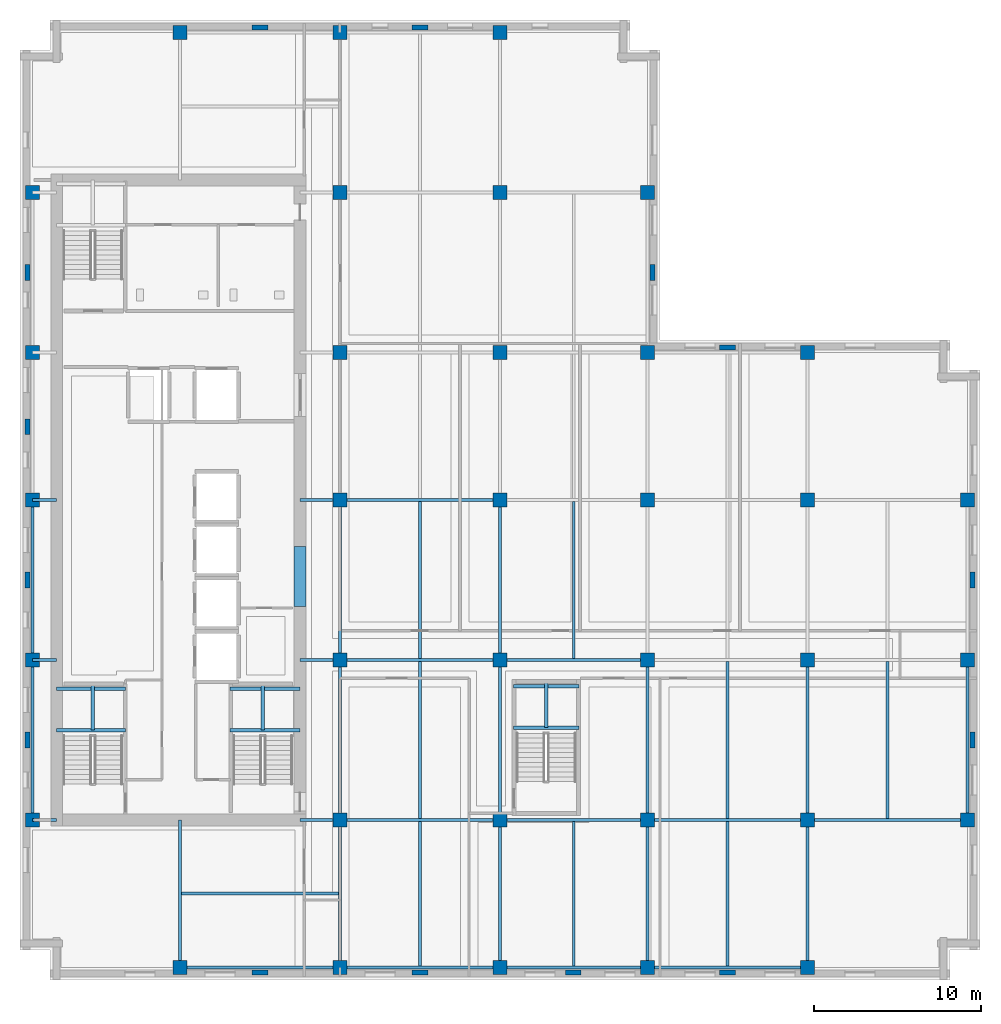
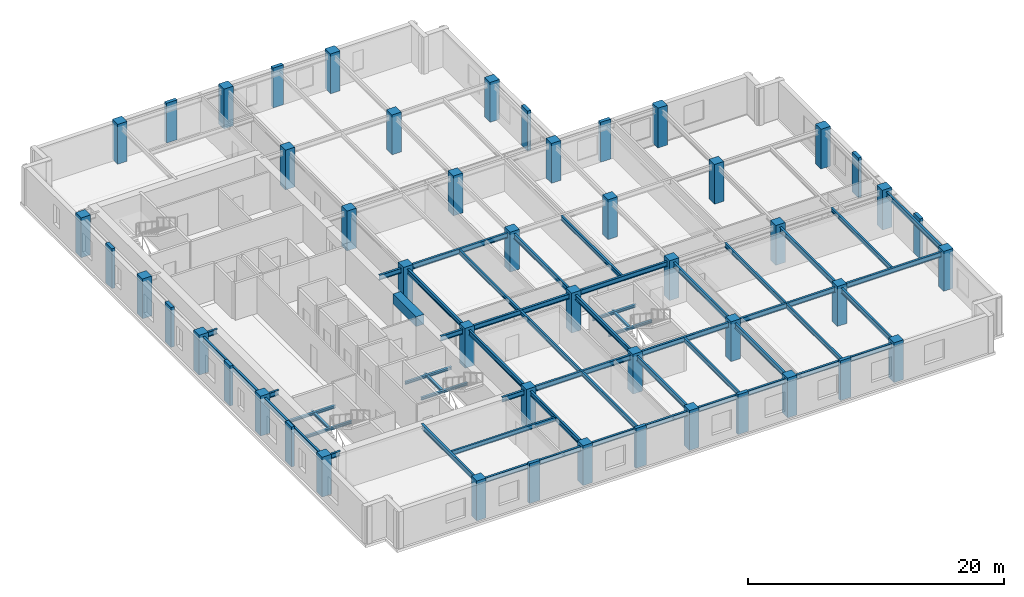
# One storey, part 1 of 11: 50 beams, 49 columns.
"""IFC4 building model written with IfcOpenShell, lengths in metres."""

from ifc_helpers import new_model, si_unit, direction, frame, origin, origin_2d, place, context, subcontext, project, spatial, rectangle, i_section, extrude, material, material_profile, profile_set, type_object, element, save


model = new_model("IFC4")

# Units and contexts
model_context = context("Model", 3, precision=1e-05, world=origin(), true_north=direction((0.0, 1.0)))
body_context = subcontext(model_context, "Body", "Model", "MODEL_VIEW")
ifc_project = project(units=[si_unit("LENGTHUNIT", "METRE"), si_unit("AREAUNIT", "SQUARE_METRE"), si_unit("VOLUMEUNIT", "CUBIC_METRE"), si_unit("PLANEANGLEUNIT", "RADIAN"), si_unit("MASSUNIT", "GRAM", prefix="KILO")], contexts=[model_context])

# Site, building, storey
site_placement = place(None, origin())
site = spatial("IfcSite", under=ifc_project, at=site_placement, CompositionType="ELEMENT")
building_placement = place(site_placement, origin())
building = spatial("IfcBuilding", under=site, at=building_placement, Name="Norrvale University Quadrangle", CompositionType="ELEMENT")
storey_placement = place(building_placement, frame((0.0, 0.0, 210.39990234375)))
storey = spatial("IfcBuildingStorey", under=building, at=storey_placement, Name="L53", CompositionType="ELEMENT", Elevation=210.39990234375)

# Columns
ifc_material_1 = material(Name="Red Manganese Brick Concrete C60/75", Category="concrete")
ifc_material_profile_1 = material_profile(ifc_material_1, rectangle(XDim=0.949951171875, YDim=0.300048828125, at=origin_2d()), Name="Red Manganese Brick Concrete C60/75")
ifc_profile_set_1 = profile_set([ifc_material_profile_1], Name="Red Manganese Brick Concrete C60/75")
column_type_1 = type_object("IfcColumnType", Name="Column Brick Pier 950x300", PredefinedType="PILASTER", material=ifc_profile_set_1)
for number, where, z_axis, x_axis, name in (
    (1, (0.449951171875, 14.39990234375, 0.0), (0.0, 0.0, 1.0), (0.0, 1.0, 0.0), "Exterior Brick Facade Pilaster L53-01"),
    (2, (0.449951171875, 24.0, 0.0), (0.0, 0.0, 1.0), (0.0, 1.0, 0.0), "Exterior Brick Facade Pilaster L53-02"),
    (3, (0.449951171875, 33.199951171875, 0.0), (0.0, 0.0, 1.0), (0.0, 1.0, 0.0), "Exterior Brick Facade Pilaster L53-03"),
    (4, (0.449951171875, 42.449951171875, 0.0), (0.0, 0.0, 1.0), (0.0, 1.0, 0.0), "Exterior Brick Facade Pilaster L53-04"),
    (5, (14.39990234375, 0.449951171875, 0.0), (0.0, 0.0, 1.0), (1.0, 0.0, 0.0), "Exterior Brick Facade Pilaster L53-05"),
    (6, (24.0, 0.449951171875, 0.0), (0.0, 0.0, 1.0), (1.0, 0.0, 0.0), "Exterior Brick Facade Pilaster L53-06"),
    (7, (33.199951171875, 0.449951171875, 0.0), (0.0, 0.0, 1.0), (1.0, 0.0, 0.0), "Exterior Brick Facade Pilaster L53-07"),
    (8, (42.449951171875, 0.449951171875, 0.0), (0.0, 0.0, 1.0), (1.0, 0.0, 0.0), "Exterior Brick Facade Pilaster L53-08"),
    (9, (57.14990234375, 14.39990234375, 0.0), (0.0, 0.0, 1.0), (0.0, 1.0, 0.0), "Exterior Brick Facade Pilaster L53-09"),
    (10, (57.14990234375, 24.0, 0.0), (0.0, 0.0, 1.0), (0.0, 1.0, 0.0), "Exterior Brick Facade Pilaster L53-10"),
    (11, (14.39990234375, 57.14990234375, 0.0), (0.0, 0.0, 1.0), (1.0, 0.0, 0.0), "Exterior Brick Facade Pilaster L53-11"),
    (12, (24.0, 57.14990234375, 0.0), (0.0, 0.0, 1.0), (1.0, 0.0, 0.0), "Exterior Brick Facade Pilaster L53-12"),
    (13, (37.949951171875, 42.449951171875, 0.0), (0.0, 0.0, 1.0), (0.0, 1.0, 0.0), "Exterior Brick Facade Pilaster L53-13"),
    (14, (42.449951171875, 37.949951171875, 0.0), (0.0, 0.0, 1.0), (1.0, 0.0, 0.0), "Exterior Brick Facade Pilaster L53-14"),
):
    element("IfcColumn", number, at=place(storey_placement, frame(where, z_axis=z_axis, x_axis=x_axis)), inside=storey, type_object=column_type_1, Name=name, PredefinedType="PILASTER", context=body_context, shape_type="SweptSolid", body=[
        extrude(rectangle(XDim=0.949951171875, YDim=0.300048828125, at=origin_2d()), origin(), (0.0, 0.0, 1.0), 3.800048828125),
    ])
ifc_material_2 = material(Name="Concrete C60/75", Category="concrete")
ifc_material_profile_2 = material_profile(ifc_material_2, rectangle(XDim=0.85009765625, YDim=0.85009765625, at=origin_2d()), Name="Concrete C60/75")
ifc_profile_set_2 = profile_set([ifc_material_profile_2], Name="Concrete C60/75")
column_type_2 = type_object("IfcColumnType", Name="Column Tower Z3 850x850", PredefinedType="COLUMN", material=ifc_profile_set_2)
for number, where, z_axis, x_axis, name in (
    (15, (0.75, 9.60009765625, 0.0), (0.0, 0.0, 1.0), (1.0, 0.0, 0.0), "Tower Column L53-T01"),
    (16, (0.75, 19.199951171875, 0.0), (0.0, 0.0, 1.0), (1.0, 0.0, 0.0), "Tower Column L53-T02"),
    (17, (0.75, 28.800048828125, 0.0), (0.0, 0.0, 1.0), (1.0, 0.0, 0.0), "Tower Column L53-T03"),
    (18, (0.75, 37.64990234375, 0.0), (0.0, 0.0, 1.0), (1.0, 0.0, 0.0), "Tower Column L53-T04"),
    (19, (0.75, 47.25, 0.0), (0.0, 0.0, 1.0), (1.0, 0.0, 0.0), "Tower Column L53-T05"),
    (20, (9.60009765625, 0.75, 0.0), (0.0, 0.0, 1.0), (1.0, 0.0, 0.0), "Tower Column L53-T06"),
    (21, (9.60009765625, 56.85009765625, 0.0), (0.0, 0.0, 1.0), (1.0, 0.0, 0.0), "Tower Column L53-T07"),
    (22, (19.199951171875, 0.75, 0.0), (0.0, 0.0, 1.0), (1.0, 0.0, 0.0), "Tower Column L53-T08"),
    (23, (19.199951171875, 9.60009765625, 0.0), (0.0, 0.0, 1.0), (1.0, 0.0, 0.0), "Tower Column L53-T09"),
    (24, (19.199951171875, 19.199951171875, 0.0), (0.0, 0.0, 1.0), (1.0, 0.0, 0.0), "Tower Column L53-T10"),
    (25, (19.199951171875, 28.800048828125, 0.0), (0.0, 0.0, 1.0), (1.0, 0.0, 0.0), "Tower Column L53-T11"),
    (26, (19.199951171875, 37.64990234375, 0.0), (0.0, 0.0, 1.0), (1.0, 0.0, 0.0), "Tower Column L53-T12"),
    (27, (19.199951171875, 47.25, 0.0), (0.0, 0.0, 1.0), (1.0, 0.0, 0.0), "Tower Column L53-T13"),
    (28, (19.199951171875, 56.85009765625, 0.0), (0.0, 0.0, 1.0), (1.0, 0.0, 0.0), "Tower Column L53-T14"),
    (29, (28.800048828125, 0.75, 0.0), (0.0, 0.0, 1.0), (1.0, 0.0, 0.0), "Tower Column L53-T15"),
    (30, (28.800048828125, 9.60009765625, 0.0), (0.0, 0.0, 1.0), (1.0, 0.0, 0.0), "Tower Column L53-T16"),
    (31, (28.800048828125, 19.199951171875, 0.0), (0.0, 0.0, 1.0), (1.0, 0.0, 0.0), "Tower Column L53-T17"),
    (32, (28.800048828125, 28.800048828125, 0.0), (0.0, 0.0, 1.0), (1.0, 0.0, 0.0), "Tower Column L53-T18"),
    (33, (28.800048828125, 37.64990234375, 0.0), (0.0, 0.0, 1.0), (1.0, 0.0, 0.0), "Tower Column L53-T19"),
    (34, (28.800048828125, 47.25, 0.0), (0.0, 0.0, 1.0), (1.0, 0.0, 0.0), "Tower Column L53-T20"),
    (35, (28.800048828125, 56.85009765625, 0.0), (0.0, 0.0, 1.0), (1.0, 0.0, 0.0), "Tower Column L53-T21"),
    (36, (37.64990234375, 0.75, 0.0), (0.0, 0.0, 1.0), (1.0, 0.0, 0.0), "Tower Column L53-T22"),
    (37, (37.64990234375, 9.60009765625, 0.0), (0.0, 0.0, 1.0), (1.0, 0.0, 0.0), "Tower Column L53-T23"),
    (38, (37.64990234375, 19.199951171875, 0.0), (0.0, 0.0, 1.0), (1.0, 0.0, 0.0), "Tower Column L53-T24"),
    (39, (37.64990234375, 28.800048828125, 0.0), (0.0, 0.0, 1.0), (1.0, 0.0, 0.0), "Tower Column L53-T25"),
    (40, (37.64990234375, 37.64990234375, 0.0), (0.0, 0.0, 1.0), (1.0, 0.0, 0.0), "Tower Column L53-T26"),
    (41, (37.64990234375, 47.25, 0.0), (0.0, 0.0, 1.0), (1.0, 0.0, 0.0), "Tower Column L53-T27"),
    (42, (47.25, 0.75, 0.0), (0.0, 0.0, 1.0), (1.0, 0.0, 0.0), "Tower Column L53-T28"),
    (43, (47.25, 9.60009765625, 0.0), (0.0, 0.0, 1.0), (1.0, 0.0, 0.0), "Tower Column L53-T29"),
    (44, (47.25, 19.199951171875, 0.0), (0.0, 0.0, 1.0), (1.0, 0.0, 0.0), "Tower Column L53-T30"),
    (45, (47.25, 28.800048828125, 0.0), (0.0, 0.0, 1.0), (1.0, 0.0, 0.0), "Tower Column L53-T31"),
    (46, (47.25, 37.64990234375, 0.0), (0.0, 0.0, 1.0), (1.0, 0.0, 0.0), "Tower Column L53-T32"),
    (47, (56.85009765625, 9.60009765625, 0.0), (0.0, 0.0, 1.0), (1.0, 0.0, 0.0), "Tower Column L53-T33"),
    (48, (56.85009765625, 19.199951171875, 0.0), (0.0, 0.0, 1.0), (1.0, 0.0, 0.0), "Tower Column L53-T34"),
    (49, (56.85009765625, 28.800048828125, 0.0), (0.0, 0.0, 1.0), (1.0, 0.0, 0.0), "Tower Column L53-T35"),
):
    element("IfcColumn", number, at=place(storey_placement, frame(where, z_axis=z_axis, x_axis=x_axis)), inside=storey, type_object=column_type_2, Name=name, PredefinedType="COLUMN", context=body_context, shape_type="SweptSolid", body=[
        extrude(rectangle(XDim=0.85009765625, YDim=0.85009765625, at=origin_2d()), origin(), (0.0, 0.0, 1.0), 3.800048828125),
    ])

# Beams
ifc_material_3 = material(Name="Concrete C80/95", Category="concrete")
ifc_material_profile_3 = material_profile(ifc_material_3, rectangle(XDim=0.699951171875, YDim=0.949951171875, at=origin_2d()), Name="Concrete C80/95")
ifc_profile_set_3 = profile_set([ifc_material_profile_3], Name="Concrete C80/95")
beam_type_1 = type_object("IfcBeamType", Name="Beam Core Link 700x950", PredefinedType="LINTEL", material=ifc_profile_set_3)
beam_1_placement = place(storey_placement, frame((16.800048828125, 22.39990234375, 3.065185546875), z_axis=(0.0, 1.0, 0.0), x_axis=(-1.0, 0.0, 0.0)))
element("IfcBeam", 50, at=beam_1_placement, inside=storey, type_object=beam_type_1, Name="Core Coupling Lintel Beam L53-1", PredefinedType="LINTEL", context=body_context, shape_type="SweptSolid", body=[
    extrude(rectangle(XDim=0.699951171875, YDim=0.949951171875, at=origin_2d()), origin(), (0.0, 0.0, 1.0), 3.60009765625),
])
ifc_material_4 = material(Name="Steel 350W", Category="steel")
ifc_material_profile_4 = material_profile(ifc_material_4, i_section(OverallWidth=0.194091796875, OverallDepth=0.468994140625, WebThickness=0.0126953125, FlangeThickness=0.0205078125, FilletRadius=0.012939453125, at=origin_2d()), Name="Steel 350W")
ifc_profile_set_4 = profile_set([ifc_material_profile_4], Name="Steel 350W")
beam_type_2 = type_object("IfcBeamType", Name="Beam Floor W460x106", PredefinedType="BEAM", material=ifc_profile_set_4)
beam_2_placement = place(storey_placement, frame((9.60009765625, 0.75, 3.3056640625), z_axis=(1.0, 0.0, 0.0), x_axis=(0.0, 1.0, 0.0)))
element("IfcBeam", 51, at=beam_2_placement, inside=storey, type_object=beam_type_2, Name="Beam Floor W460x106 BM-L53-GX001", PredefinedType="BEAM", context=body_context, shape_type="SweptSolid", body=[
    extrude(i_section(OverallWidth=0.194091796875, OverallDepth=0.468994140625, WebThickness=0.0126953125, FlangeThickness=0.0205078125, FilletRadius=0.012939453125, at=origin_2d()), origin(), (0.0, 0.0, 1.0), 9.599853515625),
])
beam_3_placement = place(storey_placement, frame((19.199951171875, 0.75, 3.3056640625), z_axis=(1.0, 0.0, 0.0), x_axis=(0.0, 1.0, 0.0)))
element("IfcBeam", 52, at=beam_3_placement, inside=storey, type_object=beam_type_2, Name="Beam Floor W460x106 BM-L53-GX002", PredefinedType="BEAM", context=body_context, shape_type="SweptSolid", body=[
    extrude(i_section(OverallWidth=0.194091796875, OverallDepth=0.468994140625, WebThickness=0.0126953125, FlangeThickness=0.0205078125, FilletRadius=0.012939453125, at=origin_2d()), origin(), (0.0, 0.0, 1.0), 9.60009765625),
])
beam_4_placement = place(storey_placement, frame((28.800048828125, 0.75, 3.3056640625), z_axis=(1.0, 0.0, 0.0), x_axis=(0.0, 1.0, 0.0)))
element("IfcBeam", 53, at=beam_4_placement, inside=storey, type_object=beam_type_2, Name="Beam Floor W460x106 BM-L53-GX003", PredefinedType="BEAM", context=body_context, shape_type="SweptSolid", body=[
    extrude(i_section(OverallWidth=0.194091796875, OverallDepth=0.468994140625, WebThickness=0.0126953125, FlangeThickness=0.0205078125, FilletRadius=0.012939453125, at=origin_2d()), origin(), (0.0, 0.0, 1.0), 8.849853515625),
])
for number, where, z_axis, x_axis, name in (
    (54, (37.64990234375, 0.75, 3.3056640625), (1.0, 0.0, 0.0), (0.0, 1.0, 0.0), "Beam Floor W460x106 BM-L53-GX004"),
    (55, (19.199951171875, 9.60009765625, 3.3056640625), (1.0, 0.0, 0.0), (0.0, 1.0, 0.0), "Beam Floor W460x106 BM-L53-GX005"),
):
    element("IfcBeam", number, at=place(storey_placement, frame(where, z_axis=z_axis, x_axis=x_axis)), inside=storey, type_object=beam_type_2, Name=name, PredefinedType="BEAM", context=body_context, shape_type="SweptSolid", body=[
        extrude(i_section(OverallWidth=0.194091796875, OverallDepth=0.468994140625, WebThickness=0.0126953125, FlangeThickness=0.0205078125, FilletRadius=0.012939453125, at=origin_2d()), origin(), (0.0, 0.0, 1.0), 9.60009765625),
    ])
beam_5_placement = place(storey_placement, frame((28.800048828125, 9.60009765625, 3.3056640625), z_axis=(1.0, 0.0, 0.0), x_axis=(0.0, 1.0, 0.0)))
element("IfcBeam", 56, at=beam_5_placement, inside=storey, type_object=beam_type_2, Name="Beam Floor W460x106 BM-L53-GX006", PredefinedType="BEAM", context=body_context, shape_type="SweptSolid", body=[
    extrude(i_section(OverallWidth=0.194091796875, OverallDepth=0.468994140625, WebThickness=0.0126953125, FlangeThickness=0.0205078125, FilletRadius=0.012939453125, at=origin_2d()), origin(), (0.0, 0.0, 1.0), 8.849853515625),
])
for number, where, z_axis, x_axis, name in (
    (57, (37.64990234375, 9.60009765625, 3.3056640625), (1.0, 0.0, 0.0), (0.0, 1.0, 0.0), "Beam Floor W460x106 BM-L53-GX007"),
    (58, (47.25, 9.60009765625, 3.3056640625), (1.0, 0.0, 0.0), (0.0, 1.0, 0.0), "Beam Floor W460x106 BM-L53-GX008"),
    (59, (19.199951171875, 19.199951171875, 3.3056640625), (1.0, 0.0, 0.0), (0.0, 1.0, 0.0), "Beam Floor W460x106 BM-L53-GX009"),
):
    element("IfcBeam", number, at=place(storey_placement, frame(where, z_axis=z_axis, x_axis=x_axis)), inside=storey, type_object=beam_type_2, Name=name, PredefinedType="BEAM", context=body_context, shape_type="SweptSolid", body=[
        extrude(i_section(OverallWidth=0.194091796875, OverallDepth=0.468994140625, WebThickness=0.0126953125, FlangeThickness=0.0205078125, FilletRadius=0.012939453125, at=origin_2d()), origin(), (0.0, 0.0, 1.0), 9.60009765625),
    ])
beam_6_placement = place(storey_placement, frame((28.800048828125, 19.199951171875, 3.3056640625), z_axis=(1.0, 0.0, 0.0), x_axis=(0.0, 1.0, 0.0)))
element("IfcBeam", 60, at=beam_6_placement, inside=storey, type_object=beam_type_2, Name="Beam Floor W460x106 BM-L53-GX010", PredefinedType="BEAM", context=body_context, shape_type="SweptSolid", body=[
    extrude(i_section(OverallWidth=0.194091796875, OverallDepth=0.468994140625, WebThickness=0.0126953125, FlangeThickness=0.0205078125, FilletRadius=0.012939453125, at=origin_2d()), origin(), (0.0, 0.0, 1.0), 8.849853515625),
])
beam_7_placement = place(storey_placement, frame((19.199951171875, 28.800048828125, 3.3056640625), z_axis=(1.0, 0.0, 0.0), x_axis=(0.0, 1.0, 0.0)))
element("IfcBeam", 61, at=beam_7_placement, inside=storey, type_object=beam_type_2, Name="Beam Floor W460x106 BM-L53-GX013", PredefinedType="BEAM", context=body_context, shape_type="SweptSolid", body=[
    extrude(i_section(OverallWidth=0.194091796875, OverallDepth=0.468994140625, WebThickness=0.0126953125, FlangeThickness=0.0205078125, FilletRadius=0.012939453125, at=origin_2d()), origin(), (0.0, 0.0, 1.0), 9.60009765625),
])
beam_8_placement = place(storey_placement, frame((0.75, 9.60009765625, 3.3056640625), z_axis=(0.0, 1.0, 0.0), x_axis=(-1.0, 0.0, 0.0)))
element("IfcBeam", 62, at=beam_8_placement, inside=storey, type_object=beam_type_2, Name="Beam Floor W460x106 BM-L53-GY024", PredefinedType="BEAM", context=body_context, shape_type="SweptSolid", body=[
    extrude(i_section(OverallWidth=0.194091796875, OverallDepth=0.468994140625, WebThickness=0.0126953125, FlangeThickness=0.0205078125, FilletRadius=0.012939453125, at=origin_2d()), origin(), (0.0, 0.0, 1.0), 9.599853515625),
])
beam_9_placement = place(storey_placement, frame((0.75, 19.199951171875, 3.3056640625), z_axis=(0.0, 1.0, 0.0), x_axis=(-1.0, 0.0, 0.0)))
element("IfcBeam", 63, at=beam_9_placement, inside=storey, type_object=beam_type_2, Name="Beam Floor W460x106 BM-L53-GY025", PredefinedType="BEAM", context=body_context, shape_type="SweptSolid", body=[
    extrude(i_section(OverallWidth=0.194091796875, OverallDepth=0.468994140625, WebThickness=0.0126953125, FlangeThickness=0.0205078125, FilletRadius=0.012939453125, at=origin_2d()), origin(), (0.0, 0.0, 1.0), 9.60009765625),
])
beam_10_placement = place(storey_placement, frame((19.199951171875, 0.75, 3.3056640625), z_axis=(0.0, 1.0, 0.0), x_axis=(-1.0, 0.0, 0.0)))
element("IfcBeam", 64, at=beam_10_placement, inside=storey, type_object=beam_type_2, Name="Beam Floor W460x106 BM-L53-GY028", PredefinedType="BEAM", context=body_context, shape_type="SweptSolid", body=[
    extrude(i_section(OverallWidth=0.194091796875, OverallDepth=0.468994140625, WebThickness=0.0126953125, FlangeThickness=0.0205078125, FilletRadius=0.012939453125, at=origin_2d()), origin(), (0.0, 0.0, 1.0), 8.85009765625),
])
beam_11_placement = place(storey_placement, frame((19.199951171875, 9.60009765625, 3.3056640625), z_axis=(0.0, 1.0, 0.0), x_axis=(-1.0, 0.0, 0.0)))
element("IfcBeam", 65, at=beam_11_placement, inside=storey, type_object=beam_type_2, Name="Beam Floor W460x106 BM-L53-GY029", PredefinedType="BEAM", context=body_context, shape_type="SweptSolid", body=[
    extrude(i_section(OverallWidth=0.194091796875, OverallDepth=0.468994140625, WebThickness=0.0126953125, FlangeThickness=0.0205078125, FilletRadius=0.012939453125, at=origin_2d()), origin(), (0.0, 0.0, 1.0), 9.599853515625),
])
beam_12_placement = place(storey_placement, frame((19.199951171875, 19.199951171875, 3.3056640625), z_axis=(0.0, 1.0, 0.0), x_axis=(-1.0, 0.0, 0.0)))
element("IfcBeam", 66, at=beam_12_placement, inside=storey, type_object=beam_type_2, Name="Beam Floor W460x106 BM-L53-GY030", PredefinedType="BEAM", context=body_context, shape_type="SweptSolid", body=[
    extrude(i_section(OverallWidth=0.194091796875, OverallDepth=0.468994140625, WebThickness=0.0126953125, FlangeThickness=0.0205078125, FilletRadius=0.012939453125, at=origin_2d()), origin(), (0.0, 0.0, 1.0), 9.60009765625),
])
beam_13_placement = place(storey_placement, frame((28.800048828125, 0.75, 3.3056640625), z_axis=(0.0, 1.0, 0.0), x_axis=(-1.0, 0.0, 0.0)))
element("IfcBeam", 67, at=beam_13_placement, inside=storey, type_object=beam_type_2, Name="Beam Floor W460x106 BM-L53-GY034", PredefinedType="BEAM", context=body_context, shape_type="SweptSolid", body=[
    extrude(i_section(OverallWidth=0.194091796875, OverallDepth=0.468994140625, WebThickness=0.0126953125, FlangeThickness=0.0205078125, FilletRadius=0.012939453125, at=origin_2d()), origin(), (0.0, 0.0, 1.0), 8.85009765625),
])
beam_14_placement = place(storey_placement, frame((28.800048828125, 9.60009765625, 3.3056640625), z_axis=(0.0, 1.0, 0.0), x_axis=(-1.0, 0.0, 0.0)))
element("IfcBeam", 68, at=beam_14_placement, inside=storey, type_object=beam_type_2, Name="Beam Floor W460x106 BM-L53-GY035", PredefinedType="BEAM", context=body_context, shape_type="SweptSolid", body=[
    extrude(i_section(OverallWidth=0.194091796875, OverallDepth=0.468994140625, WebThickness=0.0126953125, FlangeThickness=0.0205078125, FilletRadius=0.012939453125, at=origin_2d()), origin(), (0.0, 0.0, 1.0), 9.599853515625),
])
beam_15_placement = place(storey_placement, frame((28.800048828125, 19.199951171875, 3.3056640625), z_axis=(0.0, 1.0, 0.0), x_axis=(-1.0, 0.0, 0.0)))
element("IfcBeam", 69, at=beam_15_placement, inside=storey, type_object=beam_type_2, Name="Beam Floor W460x106 BM-L53-GY036", PredefinedType="BEAM", context=body_context, shape_type="SweptSolid", body=[
    extrude(i_section(OverallWidth=0.194091796875, OverallDepth=0.468994140625, WebThickness=0.0126953125, FlangeThickness=0.0205078125, FilletRadius=0.012939453125, at=origin_2d()), origin(), (0.0, 0.0, 1.0), 9.60009765625),
])
beam_16_placement = place(storey_placement, frame((37.64990234375, 0.75, 3.3056640625), z_axis=(0.0, 1.0, 0.0), x_axis=(-1.0, 0.0, 0.0)))
element("IfcBeam", 70, at=beam_16_placement, inside=storey, type_object=beam_type_2, Name="Beam Floor W460x106 BM-L53-GY040", PredefinedType="BEAM", context=body_context, shape_type="SweptSolid", body=[
    extrude(i_section(OverallWidth=0.194091796875, OverallDepth=0.468994140625, WebThickness=0.0126953125, FlangeThickness=0.0205078125, FilletRadius=0.012939453125, at=origin_2d()), origin(), (0.0, 0.0, 1.0), 8.85009765625),
])
beam_17_placement = place(storey_placement, frame((37.64990234375, 9.60009765625, 3.3056640625), z_axis=(0.0, 1.0, 0.0), x_axis=(-1.0, 0.0, 0.0)))
element("IfcBeam", 71, at=beam_17_placement, inside=storey, type_object=beam_type_2, Name="Beam Floor W460x106 BM-L53-GY041", PredefinedType="BEAM", context=body_context, shape_type="SweptSolid", body=[
    extrude(i_section(OverallWidth=0.194091796875, OverallDepth=0.468994140625, WebThickness=0.0126953125, FlangeThickness=0.0205078125, FilletRadius=0.012939453125, at=origin_2d()), origin(), (0.0, 0.0, 1.0), 9.599853515625),
])
beam_18_placement = place(storey_placement, frame((47.25, 0.75, 3.3056640625), z_axis=(0.0, 1.0, 0.0), x_axis=(-1.0, 0.0, 0.0)))
element("IfcBeam", 72, at=beam_18_placement, inside=storey, type_object=beam_type_2, Name="Beam Floor W460x106 BM-L53-GY045", PredefinedType="BEAM", context=body_context, shape_type="SweptSolid", body=[
    extrude(i_section(OverallWidth=0.194091796875, OverallDepth=0.468994140625, WebThickness=0.0126953125, FlangeThickness=0.0205078125, FilletRadius=0.012939453125, at=origin_2d()), origin(), (0.0, 0.0, 1.0), 8.85009765625),
])
for number, where, z_axis, x_axis, name in (
    (73, (47.25, 9.60009765625, 3.3056640625), (0.0, 1.0, 0.0), (-1.0, 0.0, 0.0), "Beam Floor W460x106 BM-L53-GY046"),
    (74, (56.85009765625, 9.60009765625, 3.3056640625), (0.0, 1.0, 0.0), (-1.0, 0.0, 0.0), "Beam Floor W460x106 BM-L53-GY049"),
):
    element("IfcBeam", number, at=place(storey_placement, frame(where, z_axis=z_axis, x_axis=x_axis)), inside=storey, type_object=beam_type_2, Name=name, PredefinedType="BEAM", context=body_context, shape_type="SweptSolid", body=[
        extrude(i_section(OverallWidth=0.194091796875, OverallDepth=0.468994140625, WebThickness=0.0126953125, FlangeThickness=0.0205078125, FilletRadius=0.012939453125, at=origin_2d()), origin(), (0.0, 0.0, 1.0), 9.599853515625),
    ])
beam_19_placement = place(storey_placement, frame((0.75, 9.60009765625, 3.3056640625), z_axis=(1.0, 0.0, 0.0), x_axis=(0.0, 1.0, 0.0)))
element("IfcBeam", 75, at=beam_19_placement, inside=storey, type_object=beam_type_2, Name="Beam Floor W460x106 BM-L53-GCW051", PredefinedType="BEAM", context=body_context, shape_type="SweptSolid", body=[
    extrude(i_section(OverallWidth=0.194091796875, OverallDepth=0.468994140625, WebThickness=0.0126953125, FlangeThickness=0.0205078125, FilletRadius=0.012939453125, at=origin_2d()), origin(), (0.0, 0.0, 1.0), 1.449951171875),
])
beam_20_placement = place(storey_placement, frame((16.800048828125, 9.60009765625, 3.3056640625), z_axis=(1.0, 0.0, 0.0), x_axis=(0.0, 1.0, 0.0)))
element("IfcBeam", 76, at=beam_20_placement, inside=storey, type_object=beam_type_2, Name="Beam Floor W460x106 BM-L53-GCE052", PredefinedType="BEAM", context=body_context, shape_type="SweptSolid", body=[
    extrude(i_section(OverallWidth=0.194091796875, OverallDepth=0.468994140625, WebThickness=0.0126953125, FlangeThickness=0.0205078125, FilletRadius=0.012939453125, at=origin_2d()), origin(), (0.0, 0.0, 1.0), 2.39990234375),
])
beam_21_placement = place(storey_placement, frame((0.75, 19.199951171875, 3.3056640625), z_axis=(1.0, 0.0, 0.0), x_axis=(0.0, 1.0, 0.0)))
element("IfcBeam", 77, at=beam_21_placement, inside=storey, type_object=beam_type_2, Name="Beam Floor W460x106 BM-L53-GCW053", PredefinedType="BEAM", context=body_context, shape_type="SweptSolid", body=[
    extrude(i_section(OverallWidth=0.194091796875, OverallDepth=0.468994140625, WebThickness=0.0126953125, FlangeThickness=0.0205078125, FilletRadius=0.012939453125, at=origin_2d()), origin(), (0.0, 0.0, 1.0), 1.449951171875),
])
beam_22_placement = place(storey_placement, frame((16.800048828125, 19.199951171875, 3.3056640625), z_axis=(1.0, 0.0, 0.0), x_axis=(0.0, 1.0, 0.0)))
element("IfcBeam", 78, at=beam_22_placement, inside=storey, type_object=beam_type_2, Name="Beam Floor W460x106 BM-L53-GCE054", PredefinedType="BEAM", context=body_context, shape_type="SweptSolid", body=[
    extrude(i_section(OverallWidth=0.194091796875, OverallDepth=0.468994140625, WebThickness=0.0126953125, FlangeThickness=0.0205078125, FilletRadius=0.012939453125, at=origin_2d()), origin(), (0.0, 0.0, 1.0), 2.39990234375),
])
beam_23_placement = place(storey_placement, frame((0.75, 28.800048828125, 3.3056640625), z_axis=(1.0, 0.0, 0.0), x_axis=(0.0, 1.0, 0.0)))
element("IfcBeam", 79, at=beam_23_placement, inside=storey, type_object=beam_type_2, Name="Beam Floor W460x106 BM-L53-GCW055", PredefinedType="BEAM", context=body_context, shape_type="SweptSolid", body=[
    extrude(i_section(OverallWidth=0.194091796875, OverallDepth=0.468994140625, WebThickness=0.0126953125, FlangeThickness=0.0205078125, FilletRadius=0.012939453125, at=origin_2d()), origin(), (0.0, 0.0, 1.0), 1.449951171875),
])
beam_24_placement = place(storey_placement, frame((16.800048828125, 28.800048828125, 3.3056640625), z_axis=(1.0, 0.0, 0.0), x_axis=(0.0, 1.0, 0.0)))
element("IfcBeam", 80, at=beam_24_placement, inside=storey, type_object=beam_type_2, Name="Beam Floor W460x106 BM-L53-GCE056", PredefinedType="BEAM", context=body_context, shape_type="SweptSolid", body=[
    extrude(i_section(OverallWidth=0.194091796875, OverallDepth=0.468994140625, WebThickness=0.0126953125, FlangeThickness=0.0205078125, FilletRadius=0.012939453125, at=origin_2d()), origin(), (0.0, 0.0, 1.0), 2.39990234375),
])
beam_25_placement = place(storey_placement, frame((9.60009765625, 0.75, 3.3056640625), z_axis=(0.0, 1.0, 0.0), x_axis=(-1.0, 0.0, 0.0)))
element("IfcBeam", 81, at=beam_25_placement, inside=storey, type_object=beam_type_2, Name="Beam Floor W460x106 BM-L53-GCS077", PredefinedType="BEAM", context=body_context, shape_type="SweptSolid", body=[
    extrude(i_section(OverallWidth=0.194091796875, OverallDepth=0.468994140625, WebThickness=0.0126953125, FlangeThickness=0.0205078125, FilletRadius=0.012939453125, at=origin_2d()), origin(), (0.0, 0.0, 1.0), 8.85009765625),
])
ifc_material_profile_5 = material_profile(ifc_material_4, i_section(OverallWidth=0.177978515625, OverallDepth=0.406982421875, WebThickness=0.0078125, FlangeThickness=0.0126953125, FilletRadius=0.011962890625, at=origin_2d()), Name="Steel 350W")
ifc_profile_set_5 = profile_set([ifc_material_profile_5], Name="Steel 350W")
beam_type_3 = type_object("IfcBeamType", Name="Beam Roof Purlin W410x60", PredefinedType="USERDEFINED", material=ifc_profile_set_5)
beam_26_placement = place(storey_placement, frame((24.0, 0.846923828125, 3.336669921875), z_axis=(0.0, 1.0, 0.0), x_axis=(-1.0, 0.0, 0.0)))
element("IfcBeam", 82, at=beam_26_placement, inside=storey, type_object=beam_type_3, Name="Beam Roof Purlin W410x60 BM-L53-J061", ObjectType="PURLIN", PredefinedType="USERDEFINED", context=body_context, shape_type="SweptSolid", body=[
    extrude(i_section(OverallWidth=0.177978515625, OverallDepth=0.406982421875, WebThickness=0.0078125, FlangeThickness=0.0126953125, FilletRadius=0.011962890625, at=origin_2d()), origin(), (0.0, 0.0, 1.0), 8.656005859375),
])
beam_27_placement = place(storey_placement, frame((24.0, 9.697021484375, 3.336669921875), z_axis=(0.0, 1.0, 0.0), x_axis=(-1.0, 0.0, 0.0)))
element("IfcBeam", 83, at=beam_27_placement, inside=storey, type_object=beam_type_3, Name="Beam Roof Purlin W410x60 BM-L53-J062", ObjectType="PURLIN", PredefinedType="USERDEFINED", context=body_context, shape_type="SweptSolid", body=[
    extrude(i_section(OverallWidth=0.177978515625, OverallDepth=0.406982421875, WebThickness=0.0078125, FlangeThickness=0.0126953125, FilletRadius=0.011962890625, at=origin_2d()), origin(), (0.0, 0.0, 1.0), 9.406005859375),
])
beam_28_placement = place(storey_placement, frame((24.0, 19.297119140625, 3.336669921875), z_axis=(0.0, 1.0, 0.0), x_axis=(-1.0, 0.0, 0.0)))
element("IfcBeam", 84, at=beam_28_placement, inside=storey, type_object=beam_type_3, Name="Beam Roof Purlin W410x60 BM-L53-J063", ObjectType="PURLIN", PredefinedType="USERDEFINED", context=body_context, shape_type="SweptSolid", body=[
    extrude(i_section(OverallWidth=0.177978515625, OverallDepth=0.406982421875, WebThickness=0.0078125, FlangeThickness=0.0126953125, FilletRadius=0.011962890625, at=origin_2d()), origin(), (0.0, 0.0, 1.0), 9.40576171875),
])
beam_29_placement = place(storey_placement, frame((33.22509765625, 0.846923828125, 3.336669921875), z_axis=(0.0, 1.0, 0.0), x_axis=(-1.0, 0.0, 0.0)))
element("IfcBeam", 85, at=beam_29_placement, inside=storey, type_object=beam_type_3, Name="Beam Roof Purlin W410x60 BM-L53-J067", ObjectType="PURLIN", PredefinedType="USERDEFINED", context=body_context, shape_type="SweptSolid", body=[
    extrude(i_section(OverallWidth=0.177978515625, OverallDepth=0.406982421875, WebThickness=0.0078125, FlangeThickness=0.0126953125, FilletRadius=0.011962890625, at=origin_2d()), origin(), (0.0, 0.0, 1.0), 8.656005859375),
])
beam_30_placement = place(storey_placement, frame((33.22509765625, 19.297119140625, 3.336669921875), z_axis=(0.0, 1.0, 0.0), x_axis=(-1.0, 0.0, 0.0)))
element("IfcBeam", 86, at=beam_30_placement, inside=storey, type_object=beam_type_3, Name="Beam Roof Purlin W410x60 BM-L53-J068", ObjectType="PURLIN", PredefinedType="USERDEFINED", context=body_context, shape_type="SweptSolid", body=[
    extrude(i_section(OverallWidth=0.177978515625, OverallDepth=0.406982421875, WebThickness=0.0078125, FlangeThickness=0.0126953125, FilletRadius=0.011962890625, at=origin_2d()), origin(), (0.0, 0.0, 1.0), 9.40576171875),
])
beam_31_placement = place(storey_placement, frame((42.449951171875, 0.846923828125, 3.336669921875), z_axis=(0.0, 1.0, 0.0), x_axis=(-1.0, 0.0, 0.0)))
element("IfcBeam", 87, at=beam_31_placement, inside=storey, type_object=beam_type_3, Name="Beam Roof Purlin W410x60 BM-L53-J071", ObjectType="PURLIN", PredefinedType="USERDEFINED", context=body_context, shape_type="SweptSolid", body=[
    extrude(i_section(OverallWidth=0.177978515625, OverallDepth=0.406982421875, WebThickness=0.0078125, FlangeThickness=0.0126953125, FilletRadius=0.011962890625, at=origin_2d()), origin(), (0.0, 0.0, 1.0), 8.656005859375),
])
for number, where, z_axis, x_axis, name in (
    (88, (42.449951171875, 9.697021484375, 3.336669921875), (0.0, 1.0, 0.0), (-1.0, 0.0, 0.0), "Beam Roof Purlin W410x60 BM-L53-J072"),
    (89, (52.050048828125, 9.697021484375, 3.336669921875), (0.0, 1.0, 0.0), (-1.0, 0.0, 0.0), "Beam Roof Purlin W410x60 BM-L53-J075"),
    (90, (9.697021484375, 5.199951171875, 3.336669921875), (1.0, 0.0, 0.0), (0.0, 1.0, 0.0), "Beam Roof Purlin W410x60 BM-L53-JCS078"),
):
    element("IfcBeam", number, at=place(storey_placement, frame(where, z_axis=z_axis, x_axis=x_axis)), inside=storey, type_object=beam_type_3, Name=name, ObjectType="PURLIN", PredefinedType="USERDEFINED", context=body_context, shape_type="SweptSolid", body=[
        extrude(i_section(OverallWidth=0.177978515625, OverallDepth=0.406982421875, WebThickness=0.0078125, FlangeThickness=0.0126953125, FilletRadius=0.011962890625, at=origin_2d()), origin(), (0.0, 0.0, 1.0), 9.406005859375),
    ])
ifc_material_profile_6 = material_profile(ifc_material_4, i_section(OverallWidth=0.201904296875, OverallDepth=0.2470703125, WebThickness=0.00732421875, FlangeThickness=0.010986328125, FilletRadius=0.011962890625, at=origin_2d()), Name="Steel 350W")
ifc_profile_set_6 = profile_set([ifc_material_profile_6], Name="Steel 350W")
beam_type_4 = type_object("IfcBeamType", Name="Beam Stair W250x49", PredefinedType="BEAM", material=ifc_profile_set_6)
for number, where, z_axis, x_axis, name in (
    (91, (2.199951171875, 14.989990234375, 1.57666015625), (1.0, 0.0, 0.0), (0.0, 1.0, 0.0), "Stair Mid-Landing Front Beam ST-01 L53"),
    (92, (2.199951171875, 17.469970703125, 1.57666015625), (1.0, 0.0, 0.0), (0.0, 1.0, 0.0), "Stair Mid-Landing Rear Beam ST-01 L53"),
):
    element("IfcBeam", number, at=place(storey_placement, frame(where, z_axis=z_axis, x_axis=x_axis)), inside=storey, type_object=beam_type_4, Name=name, PredefinedType="BEAM", context=body_context, shape_type="SweptSolid", body=[
        extrude(i_section(OverallWidth=0.201904296875, OverallDepth=0.2470703125, WebThickness=0.00732421875, FlangeThickness=0.010986328125, FilletRadius=0.011962890625, at=origin_2d()), origin(), (0.0, 0.0, 1.0), 4.14013671875),
    ])
for number, where, z_axis, x_axis, name in (
    (93, (12.610107421875, 14.989990234375, 1.57666015625), (1.0, 0.0, 0.0), (0.0, 1.0, 0.0), "Stair Mid-Landing Front Beam ST-03 L53"),
    (94, (12.610107421875, 17.469970703125, 1.57666015625), (1.0, 0.0, 0.0), (0.0, 1.0, 0.0), "Stair Mid-Landing Rear Beam ST-03 L53"),
):
    element("IfcBeam", number, at=place(storey_placement, frame(where, z_axis=z_axis, x_axis=x_axis)), inside=storey, type_object=beam_type_4, Name=name, PredefinedType="BEAM", context=body_context, shape_type="SweptSolid", body=[
        extrude(i_section(OverallWidth=0.201904296875, OverallDepth=0.2470703125, WebThickness=0.00732421875, FlangeThickness=0.010986328125, FilletRadius=0.011962890625, at=origin_2d()), origin(), (0.0, 0.0, 1.0), 4.18994140625),
    ])
for number, where, z_axis, x_axis, name in (
    (95, (29.610107421875, 15.139892578125, 1.57666015625), (1.0, 0.0, 0.0), (0.0, 1.0, 0.0), "Stair Mid-Landing Front Beam ST-04 L53"),
    (96, (29.610107421875, 17.6201171875, 1.57666015625), (1.0, 0.0, 0.0), (0.0, 1.0, 0.0), "Stair Mid-Landing Rear Beam ST-04 L53"),
):
    element("IfcBeam", number, at=place(storey_placement, frame(where, z_axis=z_axis, x_axis=x_axis)), inside=storey, type_object=beam_type_4, Name=name, PredefinedType="BEAM", context=body_context, shape_type="SweptSolid", body=[
        extrude(i_section(OverallWidth=0.201904296875, OverallDepth=0.2470703125, WebThickness=0.00732421875, FlangeThickness=0.010986328125, FilletRadius=0.011962890625, at=origin_2d()), origin(), (0.0, 0.0, 1.0), 3.929931640625),
    ])
ifc_material_profile_7 = material_profile(ifc_material_4, i_section(OverallWidth=0.202880859375, OverallDepth=0.202880859375, WebThickness=0.007080078125, FlangeThickness=0.010986328125, FilletRadius=0.010009765625, at=origin_2d()), Name="Steel 350W")
ifc_profile_set_7 = profile_set([ifc_material_profile_7], Name="Steel 350W")
beam_type_5 = type_object("IfcBeamType", Name="Beam Trim W200x46", PredefinedType="BEAM", material=ifc_profile_set_7)
for number, where, z_axis, x_axis, name in (
    (97, (4.375, 14.989990234375, 1.5986328125), (0.0, 1.0, 0.0), (-1.0, 0.0, 0.0), "Stair Mid-Landing Cross Beam ST-01 L53"),
    (98, (14.574951171875, 14.989990234375, 1.5986328125), (0.0, 1.0, 0.0), (-1.0, 0.0, 0.0), "Stair Mid-Landing Cross Beam ST-03 L53"),
    (99, (31.574951171875, 15.139892578125, 1.5986328125), (0.0, 1.0, 0.0), (-1.0, 0.0, 0.0), "Stair Mid-Landing Cross Beam ST-04 L53"),
):
    element("IfcBeam", number, at=place(storey_placement, frame(where, z_axis=z_axis, x_axis=x_axis)), inside=storey, type_object=beam_type_5, Name=name, PredefinedType="BEAM", context=body_context, shape_type="SweptSolid", body=[
        extrude(i_section(OverallWidth=0.202880859375, OverallDepth=0.202880859375, WebThickness=0.007080078125, FlangeThickness=0.010986328125, FilletRadius=0.010009765625, at=origin_2d()), origin(), (0.0, 0.0, 1.0), 2.800048828125),
    ])

save(model, "model.ifc")
